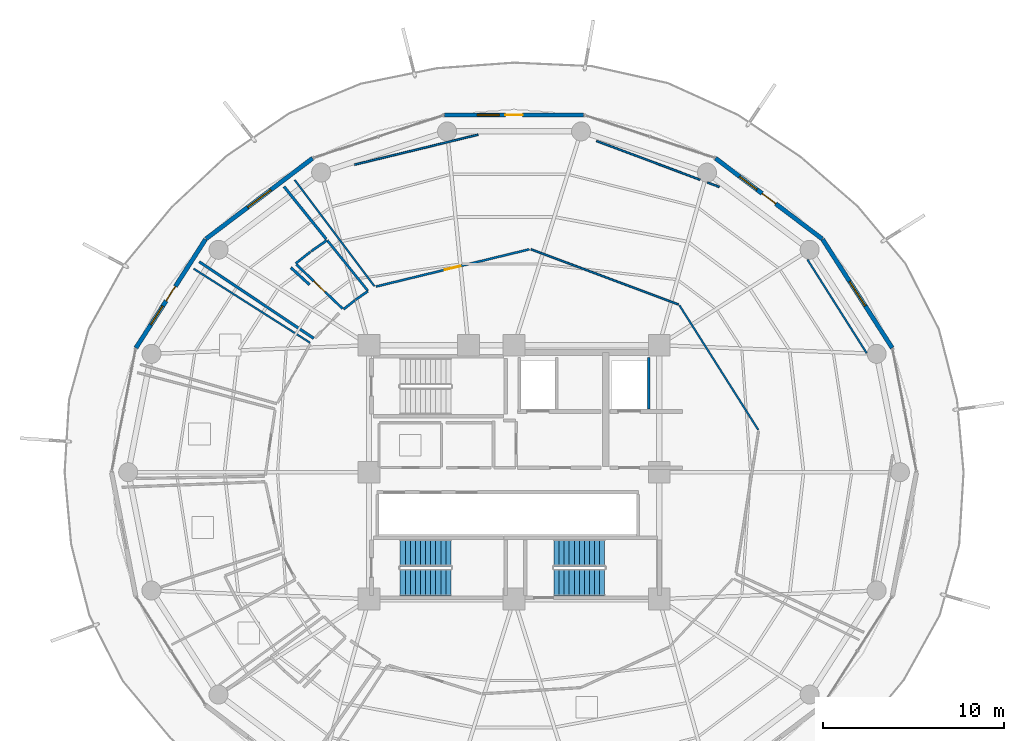
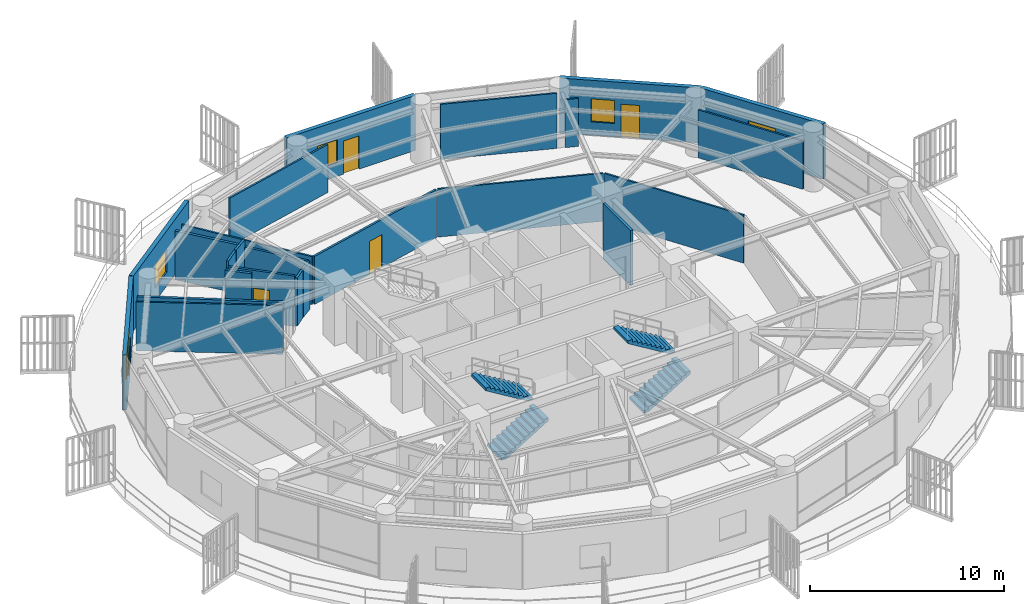
# One storey, part 25 of 30: 24 walls, 5 doors, 5 windows, 4 stair flights, 10 openings, 2 elements without a shape of their own.
"""IFC4 building model written with IfcOpenShell, lengths in metres."""

from ifc_helpers import new_model, si_unit, direction, frame, frame_2d, origin, place, context, subcontext, project, spatial, polyline, rectangle, outline, extrude, material, layer, layer_set, type_object, element, fill, aggregate, save


model = new_model("IFC4")

# Units and contexts
model_context = context("Model", 3, precision=1e-05, world=origin(), true_north=direction((0.0, 1.0)))
body_context = subcontext(model_context, "Body", "Model", "MODEL_VIEW")
ifc_project = project(units=[si_unit("LENGTHUNIT", "METRE"), si_unit("AREAUNIT", "SQUARE_METRE"), si_unit("VOLUMEUNIT", "CUBIC_METRE"), si_unit("PLANEANGLEUNIT", "RADIAN"), si_unit("MASSUNIT", "GRAM", prefix="KILO")], contexts=[model_context])

# Site, building, storey
site_placement = place(None, origin())
site = spatial("IfcSite", under=ifc_project, at=site_placement, CompositionType="ELEMENT")
building_placement = place(site_placement, origin())
building = spatial("IfcBuilding", under=site, at=building_placement, Name="Kelanora Arch Commons", CompositionType="ELEMENT")
storey_placement = place(building_placement, frame((0.0, 0.0, 211.949951171875)))
storey = spatial("IfcBuildingStorey", under=building, at=storey_placement, Name="L54", CompositionType="ELEMENT", Elevation=211.949951171875)

# Walls
ifc_material_1 = material(Name="Autoclaved aerated concrete blockwork with fire plaster", Category="masonry")
ifc_layer_1 = layer(ifc_material_1, 0.14990234375)
ifc_layer_set_1 = layer_set([ifc_layer_1], Name="Autoclaved aerated concrete blockwork with fire plaster")
wall_type_1 = type_object("IfcWallType", Name="W-COMP-150", PredefinedType="PARTITIONING", material=ifc_layer_set_1)
wall_1_placement = place(storey_placement, frame((81.419921875, 61.47998046875, 0.0), z_axis=(0.0, 0.0, 1.0), x_axis=(0.0, 1.0, 0.0)))
element("IfcWall", 1, at=wall_1_placement, inside=storey, type_object=wall_type_1, Name="Firefighting Lift 2 East Shaft Wall L54", PredefinedType="PARTITIONING", context=body_context, shape_type="SweptSolid", body=[
    extrude(rectangle(XDim=2.840087890625, YDim=0.14990234375, at=frame_2d((1.419921875, 0.0))), origin(), (0.0, 0.0, 1.0), 3.47998046875),
])
wall_2_placement = place(storey_placement, frame((62.95068359375, 65.382080078125, 0.0), z_axis=(0.0, 0.0, 1.0), x_axis=(-0.831079650143, 0.556153409697, 0.0)))
element("IfcWall", 2, at=wall_2_placement, inside=storey, type_object=wall_type_1, Name="Co-Living Studio L54-01 Enclosure Partition 2", PredefinedType="PARTITIONING", context=body_context, shape_type="SweptSolid", body=[
    extrude(rectangle(XDim=7.594482421875, YDim=0.14990234375, at=frame_2d((3.79736328125, 0.0))), origin(), (0.0, 0.0, 1.0), 3.074951171875),
])
wall_3_placement = place(storey_placement, frame((61.31201171875, 73.748779296875, 0.0), z_axis=(0.0, 0.0, 1.0), x_axis=(0.627090198143, -0.778946649901, 0.0)))
element("IfcWall", 3, at=wall_3_placement, inside=storey, type_object=wall_type_1, Name="Co-Living Studio L54-01 Enclosure Partition 5", PredefinedType="PARTITIONING", context=body_context, shape_type="SweptSolid", body=[
    extrude(rectangle(XDim=3.712158203125, YDim=0.14990234375, at=frame_2d((1.85595703125, 0.0))), origin(), (0.0, 0.0, 1.0), 3.074951171875),
])
wall_4_placement = place(storey_placement, frame((61.69140625, 69.281005859375, 0.0), z_axis=(0.0, 0.0, 1.0), x_axis=(0.736726740779, -0.676190586611, 0.0)))
element("IfcWall", 4, at=wall_4_placement, inside=storey, type_object=wall_type_1, Name="Co-Living Studio L54-01 Enclosure Partition 7", PredefinedType="PARTITIONING", context=body_context, shape_type="SweptSolid", body=[
    extrude(rectangle(XDim=1.3994140625, YDim=0.14990234375, at=frame_2d((0.69970703125, 0.0))), origin(), (0.0, 0.0, 1.0), 3.175048828125),
])

# Wall, opening, window
ifc_material_2 = material(Name="Precast concrete C40/50 upper-zone terracotta rainscreen", Category="masonry")
ifc_layer_2 = layer(ifc_material_2, 0.239990234375)
ifc_layer_set_2 = layer_set([ifc_layer_2], Name="Precast concrete C40/50 upper-zone terracotta rainscreen")
wall_type_2 = type_object("IfcWallType", Name="W-EXT-TC2", PredefinedType="SOLIDWALL", material=ifc_layer_set_2)
wall_5_placement = place(storey_placement, frame((94.85302734375, 64.85302734375, 0.0), z_axis=(0.0, 0.0, 1.0), x_axis=(-0.539539512973, 0.841960280501, 0.0)))
wall_5 = element("IfcWall", 5, at=wall_5_placement, inside=storey, type_object=wall_type_2, Name="Terracotta Exterior Wall L54-B01", PredefinedType="SOLIDWALL", context=body_context, shape_type="SweptSolid", body=[
    extrude(rectangle(XDim=7.11474609375, YDim=0.239990234375, at=frame_2d((3.557373046875, 0.0))), origin(), (0.0, 0.0, 1.0), 3.47509765625),
])
opening_1_placement = place(wall_5_placement, frame((2.757080078125, 0.0, 0.85009765625)))
opening_1 = element("IfcOpeningElement", 6, at=opening_1_placement, cuts=wall_5, Name="Opening WN-01", PredefinedType="OPENING", context=body_context, shape_type="SweptSolid", body=[
    extrude(rectangle(XDim=1.60009765625, YDim=1.449951171875, at=frame_2d((0.800048828125, 0.72509765625))), frame((0.0, 0.1298828125, 0.0), z_axis=(0.0, -1.0, 0.0), x_axis=(1.0, 0.0, 0.0)), (0.0, 0.0, 1.0), 0.260009765625),
])
ifc_material_3 = material(Name="Terracotta-anodised aluminium frame with operable low-E glazing", Category="masonry")
window_type_1 = type_object("IfcWindowType", Name="WIN-CL-18", PartitioningType="DOUBLE_PANEL_VERTICAL", PredefinedType="WINDOW", material=ifc_material_3)
window_1_placement = place(opening_1_placement, origin())
window_1 = element("IfcWindow", 7, at=window_1_placement, inside=storey, type_object=window_type_1, Name="Co-Living Operable Window L54-B01", OverallHeight=1.449951171875, OverallWidth=1.60009765625, PartitioningType="SINGLE_PANEL", PredefinedType="WINDOW", context=body_context, shape_type="SweptSolid", body=[
    extrude(rectangle(XDim=1.60009765625, YDim=1.449951171875, at=frame_2d((0.800048828125, 0.72509765625))), frame((0.0, 0.030029296875, 0.0), z_axis=(0.0, -1.0, 0.0), x_axis=(1.0, 0.0, 0.0)), (0.0, 0.0, 1.0), 0.06005859375),
])
fill(opening_1, window_1)

# Wall, openings, door, window
wall_6_placement = place(storey_placement, frame((90.994140625, 70.86474609375, 0.0), z_axis=(0.0, 0.0, 1.0), x_axis=(-0.797701674595, 0.603052268338, 0.0)))
wall_6 = element("IfcWall", 8, at=wall_6_placement, inside=storey, type_object=wall_type_2, Name="Terracotta Exterior Wall L54-B02", PredefinedType="SOLIDWALL", context=body_context, shape_type="SweptSolid", body=[
    extrude(rectangle(XDim=7.373779296875, YDim=0.239990234375, at=frame_2d((3.68701171875, 0.0))), origin(), (0.0, 0.0, 1.0), 3.47509765625),
])
opening_2_placement = place(wall_6_placement, frame((3.2119140625, 0.0, 0.0)))
opening_2 = element("IfcOpeningElement", 9, at=opening_2_placement, cuts=wall_6, Name="Opening DB-01", PredefinedType="OPENING", context=body_context, shape_type="SweptSolid", body=[
    extrude(rectangle(XDim=0.949951171875, YDim=2.10009765625, at=frame_2d((0.47509765625, 1.050048828125))), frame((0.0, 0.1298828125, 0.0), z_axis=(0.0, -1.0, 0.0), x_axis=(1.0, 0.0, 0.0)), (0.0, 0.0, 1.0), 0.260009765625),
])
opening_3_placement = place(wall_6_placement, frame((4.511962890625, 0.0, 0.85009765625)))
opening_3 = element("IfcOpeningElement", 10, at=opening_3_placement, cuts=wall_6, Name="Opening WN-02", PredefinedType="OPENING", context=body_context, shape_type="SweptSolid", body=[
    extrude(rectangle(XDim=1.199951171875, YDim=1.449951171875, at=frame_2d((0.60009765625, 0.72509765625))), frame((0.0, 0.1298828125, 0.0), z_axis=(0.0, -1.0, 0.0), x_axis=(1.0, 0.0, 0.0)), (0.0, 0.0, 1.0), 0.260009765625),
])
ifc_material_4 = material(Name="Terracotta-aluminium thermally broken glazed balcony door", Category="masonry")
door_type_1 = type_object("IfcDoorType", Name="D-BAL-10", OperationType="NOTDEFINED", PredefinedType="DOOR", material=ifc_material_4)
door_1_placement = place(opening_2_placement, frame((0.949951171875, 0.0, 0.0), z_axis=(0.0, 0.0, 1.0), x_axis=(-1.0, 0.0, 0.0)))
door_1 = element("IfcDoor", 11, at=door_1_placement, inside=storey, type_object=door_type_1, Name="Wave Balcony Door L54-B02", OperationType="SINGLE_SWING_LEFT", OverallHeight=2.10009765625, OverallWidth=0.949951171875, PredefinedType="DOOR", context=body_context, shape_type="SweptSolid", body=[
    extrude(rectangle(XDim=0.949951171875, YDim=2.10009765625, at=frame_2d((0.47509765625, 1.050048828125))), frame((0.0, 0.02490234375, 0.0), z_axis=(0.0, -1.0, 0.0), x_axis=(1.0, 0.0, 0.0)), (0.0, 0.0, 1.0), 0.050048828125),
])
fill(opening_2, door_1)
ifc_material_5 = material(Name="Terracotta-anodised aluminium frame with operable awning sash", Category="masonry")
window_type_2 = type_object("IfcWindowType", Name="WIN-CL-12", PartitioningType="SINGLE_PANEL", PredefinedType="WINDOW", material=ifc_material_5)
window_2_placement = place(opening_3_placement, origin())
window_2 = element("IfcWindow", 12, at=window_2_placement, inside=storey, type_object=window_type_2, Name="Co-Living Operable Window L54-B02", OverallHeight=1.449951171875, OverallWidth=1.199951171875, PartitioningType="SINGLE_PANEL", PredefinedType="WINDOW", context=body_context, shape_type="SweptSolid", body=[
    extrude(rectangle(XDim=1.199951171875, YDim=1.449951171875, at=frame_2d((0.60009765625, 0.72509765625))), frame((0.0, 0.030029296875, 0.0), z_axis=(0.0, -1.0, 0.0), x_axis=(1.0, 0.0, 0.0)), (0.0, 0.0, 1.0), 0.06005859375),
])
fill(opening_3, window_2)

wall_7_placement = place(storey_placement, frame((77.840087890625, 77.6962890625, 0.0), z_axis=(0.0, 0.0, 1.0), x_axis=(-1.0, 0.0, 0.0)))
wall_7 = element("IfcWall", 13, at=wall_7_placement, inside=storey, type_object=wall_type_2, Name="Terracotta Exterior Wall L54-B04", PredefinedType="SOLIDWALL", context=body_context, shape_type="SweptSolid", body=[
    extrude(rectangle(XDim=7.68017578125, YDim=0.239990234375, at=frame_2d((3.840087890625, 0.0))), origin(), (0.0, 0.0, 1.0), 3.47509765625),
])
opening_4_placement = place(wall_7_placement, frame((3.364990234375, 0.0, 0.0)))
opening_4 = element("IfcOpeningElement", 14, at=opening_4_placement, cuts=wall_7, Name="Opening DB-01", PredefinedType="OPENING", context=body_context, shape_type="SweptSolid", body=[
    extrude(rectangle(XDim=0.949951171875, YDim=2.10009765625, at=frame_2d((0.47509765625, 1.050048828125))), frame((0.0, 0.1298828125, 0.0), z_axis=(0.0, -1.0, 0.0), x_axis=(1.0, 0.0, 0.0)), (0.0, 0.0, 1.0), 0.260009765625),
])
opening_5_placement = place(wall_7_placement, frame((4.6650390625, 0.0, 0.85009765625)))
opening_5 = element("IfcOpeningElement", 15, at=opening_5_placement, cuts=wall_7, Name="Opening WN-02", PredefinedType="OPENING", context=body_context, shape_type="SweptSolid", body=[
    extrude(rectangle(XDim=1.199951171875, YDim=1.449951171875, at=frame_2d((0.60009765625, 0.72509765625))), frame((0.0, 0.1298828125, 0.0), z_axis=(0.0, -1.0, 0.0), x_axis=(1.0, 0.0, 0.0)), (0.0, 0.0, 1.0), 0.260009765625),
])
door_2_placement = place(opening_4_placement, frame((0.949951171875, 0.0, 0.0), z_axis=(0.0, 0.0, 1.0), x_axis=(-1.0, 0.0, 0.0)))
door_2 = element("IfcDoor", 16, at=door_2_placement, inside=storey, type_object=door_type_1, Name="Wave Balcony Door L54-B04", OperationType="SINGLE_SWING_LEFT", OverallHeight=2.10009765625, OverallWidth=0.949951171875, PredefinedType="DOOR", context=body_context, shape_type="SweptSolid", body=[
    extrude(rectangle(XDim=0.949951171875, YDim=2.10009765625, at=frame_2d((0.47509765625, 1.050048828125))), frame((0.0, 0.02490234375, 0.0), z_axis=(0.0, -1.0, 0.0), x_axis=(1.0, 0.0, 0.0)), (0.0, 0.0, 1.0), 0.050048828125),
])
fill(opening_4, door_2)
window_3_placement = place(opening_5_placement, origin())
window_3 = element("IfcWindow", 17, at=window_3_placement, inside=storey, type_object=window_type_2, Name="Co-Living Operable Window L54-B04", OverallHeight=1.449951171875, OverallWidth=1.199951171875, PartitioningType="SINGLE_PANEL", PredefinedType="WINDOW", context=body_context, shape_type="SweptSolid", body=[
    extrude(rectangle(XDim=1.199951171875, YDim=1.449951171875, at=frame_2d((0.60009765625, 0.72509765625))), frame((0.0, 0.030029296875, 0.0), z_axis=(0.0, -1.0, 0.0), x_axis=(1.0, 0.0, 0.0)), (0.0, 0.0, 1.0), 0.06005859375),
])
fill(opening_5, window_3)

# Wall, opening, window
wall_8_placement = place(storey_placement, frame((62.887939453125, 75.3115234375, 0.0), z_axis=(0.0, 0.0, 1.0), x_axis=(-0.797701674595, -0.603052268338, 0.0)))
wall_8 = element("IfcWall", 18, at=wall_8_placement, inside=storey, type_object=wall_type_2, Name="Terracotta Exterior Wall L54-B06", PredefinedType="SOLIDWALL", context=body_context, shape_type="SweptSolid", body=[
    extrude(rectangle(XDim=7.373779296875, YDim=0.239990234375, at=frame_2d((3.68701171875, 0.0))), origin(), (0.0, 0.0, 1.0), 3.47509765625),
])
opening_6_placement = place(wall_8_placement, frame((2.886962890625, 0.0, 0.85009765625)))
opening_6 = element("IfcOpeningElement", 19, at=opening_6_placement, cuts=wall_8, Name="Opening WN-01", PredefinedType="OPENING", context=body_context, shape_type="SweptSolid", body=[
    extrude(rectangle(XDim=1.60009765625, YDim=1.449951171875, at=frame_2d((0.800048828125, 0.72509765625))), frame((0.0, 0.1298828125, 0.0), z_axis=(0.0, -1.0, 0.0), x_axis=(1.0, 0.0, 0.0)), (0.0, 0.0, 1.0), 0.260009765625),
])
window_4_placement = place(opening_6_placement, origin())
window_4 = element("IfcWindow", 20, at=window_4_placement, inside=storey, type_object=window_type_1, Name="Co-Living Operable Window L54-B06", OverallHeight=1.449951171875, OverallWidth=1.60009765625, PartitioningType="SINGLE_PANEL", PredefinedType="WINDOW", context=body_context, shape_type="SweptSolid", body=[
    extrude(rectangle(XDim=1.60009765625, YDim=1.449951171875, at=frame_2d((0.800048828125, 0.72509765625))), frame((0.0, 0.030029296875, 0.0), z_axis=(0.0, -1.0, 0.0), x_axis=(1.0, 0.0, 0.0)), (0.0, 0.0, 1.0), 0.06005859375),
])
fill(opening_6, window_4)

# Wall, openings, door, window
wall_9_placement = place(storey_placement, frame((56.985595703125, 70.84326171875, 0.0), z_axis=(0.0, 0.0, 1.0), x_axis=(-0.539539512973, -0.841960280501, 0.0)))
wall_9 = element("IfcWall", 21, at=wall_9_placement, inside=storey, type_object=wall_type_2, Name="Terracotta Exterior Wall L54-B07", PredefinedType="SOLIDWALL", context=body_context, shape_type="SweptSolid", body=[
    extrude(rectangle(XDim=7.11474609375, YDim=0.239990234375, at=frame_2d((3.557373046875, 0.0))), origin(), (0.0, 0.0, 1.0), 3.47509765625),
])
opening_7_placement = place(wall_9_placement, frame((3.08203125, 0.0, 0.0)))
opening_7 = element("IfcOpeningElement", 22, at=opening_7_placement, cuts=wall_9, Name="Opening DB-01", PredefinedType="OPENING", context=body_context, shape_type="SweptSolid", body=[
    extrude(rectangle(XDim=0.949951171875, YDim=2.10009765625, at=frame_2d((0.47509765625, 1.050048828125))), frame((0.0, 0.1298828125, 0.0), z_axis=(0.0, -1.0, 0.0), x_axis=(1.0, 0.0, 0.0)), (0.0, 0.0, 1.0), 0.260009765625),
])
opening_8_placement = place(wall_9_placement, frame((4.382080078125, 0.0, 0.85009765625)))
opening_8 = element("IfcOpeningElement", 23, at=opening_8_placement, cuts=wall_9, Name="Opening WN-02", PredefinedType="OPENING", context=body_context, shape_type="SweptSolid", body=[
    extrude(rectangle(XDim=1.199951171875, YDim=1.449951171875, at=frame_2d((0.60009765625, 0.72509765625))), frame((0.0, 0.1298828125, 0.0), z_axis=(0.0, -1.0, 0.0), x_axis=(1.0, 0.0, 0.0)), (0.0, 0.0, 1.0), 0.260009765625),
])
door_3_placement = place(opening_7_placement, frame((0.949951171875, 0.0, 0.0), z_axis=(0.0, 0.0, 1.0), x_axis=(-1.0, 0.0, 0.0)))
door_3 = element("IfcDoor", 24, at=door_3_placement, inside=storey, type_object=door_type_1, Name="Wave Balcony Door L54-B07", OperationType="SINGLE_SWING_RIGHT", OverallHeight=2.10009765625, OverallWidth=0.949951171875, PredefinedType="DOOR", context=body_context, shape_type="SweptSolid", body=[
    extrude(rectangle(XDim=0.949951171875, YDim=2.10009765625, at=frame_2d((0.47509765625, 1.050048828125))), frame((0.0, 0.02490234375, 0.0), z_axis=(0.0, -1.0, 0.0), x_axis=(1.0, 0.0, 0.0)), (0.0, 0.0, 1.0), 0.050048828125),
])
fill(opening_7, door_3)
window_5_placement = place(opening_8_placement, origin())
window_5 = element("IfcWindow", 25, at=window_5_placement, inside=storey, type_object=window_type_2, Name="Co-Living Operable Window L54-B07", OverallHeight=1.449951171875, OverallWidth=1.199951171875, PartitioningType="SINGLE_PANEL", PredefinedType="WINDOW", context=body_context, shape_type="SweptSolid", body=[
    extrude(rectangle(XDim=1.199951171875, YDim=1.449951171875, at=frame_2d((0.60009765625, 0.72509765625))), frame((0.0, 0.030029296875, 0.0), z_axis=(0.0, -1.0, 0.0), x_axis=(1.0, 0.0, 0.0)), (0.0, 0.0, 1.0), 0.06005859375),
])
fill(opening_8, window_5)

# Walls
ifc_material_6 = material(Name="Lightweight fire-rated acoustic stud partition")
ifc_layer_3 = layer(ifc_material_6, 0.10009765625)
ifc_layer_set_3 = layer_set([ifc_layer_3], Name="Lightweight fire-rated acoustic stud partition")
wall_type_3 = type_object("IfcWallType", Name="W-PART-100", PredefinedType="PARTITIONING", material=ifc_layer_set_3)
wall_10_placement = place(storey_placement, frame((87.467529296875, 60.333740234375, 0.0), z_axis=(0.0, 0.0, 1.0), x_axis=(-0.534944175276, 0.844887406308, 0.0)))
element("IfcWall", 26, at=wall_10_placement, inside=storey, type_object=wall_type_3, Name="North-East Shared Cluster Kitchen L54 Enclosure Partition 2", PredefinedType="PARTITIONING", context=body_context, shape_type="SweptSolid", body=[
    extrude(rectangle(XDim=8.128173828125, YDim=0.10009765625, at=frame_2d((4.06396484375, 0.0))), origin(), (0.0, 0.0, 1.0), 3.025146484375),
])
wall_11_placement = place(storey_placement, frame((83.060546875, 67.2490234375, 0.0), z_axis=(0.0, 0.0, 1.0), x_axis=(-0.936551038794, 0.350531242164, 0.0)))
element("IfcWall", 27, at=wall_11_placement, inside=storey, type_object=wall_type_3, Name="North-East Shared Cluster Kitchen L54 Enclosure Partition 3", PredefinedType="PARTITIONING", context=body_context, shape_type="SweptSolid", body=[
    extrude(rectangle(XDim=8.675537109375, YDim=0.10009765625, at=frame_2d((4.337890625, 0.0))), origin(), (0.0, 0.0, 1.0), 3.025146484375),
])
wall_12_placement = place(storey_placement, frame((66.298095703125, 68.25390625, 0.0), z_axis=(0.0, 0.0, 1.0), x_axis=(-0.599930714763, 0.80005195924, 0.0)))
element("IfcWall", 28, at=wall_12_placement, inside=storey, type_object=wall_type_3, Name="North-East Shared Cluster Kitchen L54 Enclosure Partition 5", PredefinedType="PARTITIONING", context=body_context, shape_type="SweptSolid", body=[
    extrude(rectangle(XDim=7.32958984375, YDim=0.10009765625, at=frame_2d((3.664794921875, 0.0))), origin(), (0.0, 0.0, 1.0), 3.025146484375),
])
wall_13_placement = place(storey_placement, frame((65.209228515625, 74.958984375, 0.0), z_axis=(0.0, 0.0, 1.0), x_axis=(0.971754503242, 0.235994036851, 0.0)))
element("IfcWall", 29, at=wall_13_placement, inside=storey, type_object=wall_type_3, Name="North-East Shared Cluster Kitchen L54 Enclosure Partition 6", PredefinedType="PARTITIONING", context=body_context, shape_type="SweptSolid", body=[
    extrude(rectangle(XDim=7.004638671875, YDim=0.10009765625, at=frame_2d((3.50244140625, 0.0))), origin(), (0.0, 0.0, 1.0), 3.025146484375),
])
wall_14_placement = place(storey_placement, frame((78.553955078125, 76.263916015625, 0.0), z_axis=(0.0, 0.0, 1.0), x_axis=(0.936506961486, -0.35064898558, 0.0)))
element("IfcWall", 30, at=wall_14_placement, inside=storey, type_object=wall_type_3, Name="North-East Shared Cluster Kitchen L54 Enclosure Partition 7", PredefinedType="PARTITIONING", context=body_context, shape_type="SweptSolid", body=[
    extrude(rectangle(XDim=6.0908203125, YDim=0.10009765625, at=frame_2d((3.04541015625, 0.0))), origin(), (0.0, 0.0, 1.0), 3.47998046875),
])
wall_15_placement = place(storey_placement, frame((84.668212890625, 73.974609375, 0.0), z_axis=(0.0, 0.0, 1.0), x_axis=(0.93647410615, -0.350736722499, 0.0)))
element("IfcWall", 31, at=wall_15_placement, inside=storey, type_object=wall_type_3, Name="North-East Shared Cluster Kitchen L54 Enclosure Partition 7", PredefinedType="PARTITIONING", context=body_context, shape_type="SweptSolid", body=[
    extrude(rectangle(XDim=0.69189453125, YDim=0.10009765625, at=frame_2d((0.345947265625, 0.0))), origin(), (0.0, 0.0, 1.0), 3.025146484375),
])
wall_16_placement = place(storey_placement, frame((90.1767578125, 69.728759765625, 0.0), z_axis=(0.0, 0.0, 1.0), x_axis=(0.534740598511, -0.845016267479, 0.0)))
element("IfcWall", 32, at=wall_16_placement, inside=storey, type_object=wall_type_3, Name="North-East Shared Cluster Kitchen L54 Enclosure Partition 8", PredefinedType="PARTITIONING", context=body_context, shape_type="SweptSolid", body=[
    extrude(rectangle(XDim=6.116943359375, YDim=0.10009765625, at=frame_2d((3.05859375, 0.0))), origin(), (0.0, 0.0, 1.0), 3.025146484375),
])
wall_17_placement = place(storey_placement, frame((56.328857421875, 69.221435546875, 0.0), z_axis=(0.0, 0.0, 1.0), x_axis=(0.843949218332, -0.536423076383, 0.0)))
element("IfcWall", 33, at=wall_17_placement, inside=storey, type_object=wall_type_3, Name="Shared Cluster Kitchen L54-02 Enclosure Partition 4", PredefinedType="PARTITIONING", context=body_context, shape_type="SweptSolid", body=[
    extrude(rectangle(XDim=7.61328125, YDim=0.10009765625, at=frame_2d((3.806640625, 0.0))), origin(), (0.0, 0.0, 1.0), 3.074951171875),
])

# Wall, opening, door
ifc_material_7 = material(Name="Acoustic twin-stud fire-rated gypsum partition")
ifc_layer_4 = layer(ifc_material_7, 0.1201171875)
ifc_layer_set_4 = layer_set([ifc_layer_4], Name="Acoustic twin-stud fire-rated gypsum partition")
wall_type_4 = type_object("IfcWallType", Name="W-PART-120", PredefinedType="PARTITIONING", material=ifc_layer_set_4)
wall_18_placement = place(storey_placement, frame((74.839599609375, 70.289794921875, 0.0), z_axis=(0.0, 0.0, 1.0), x_axis=(-0.971771434763, -0.235924306884, 0.0)))
wall_18 = element("IfcWall", 34, at=wall_18_placement, inside=storey, type_object=wall_type_4, Name="North-East Shared Cluster Kitchen L54 Entry Partition", PredefinedType="PARTITIONING", context=body_context, shape_type="SweptSolid", body=[
    extrude(rectangle(XDim=8.705078125, YDim=0.1201171875, at=frame_2d((4.3525390625, 0.0))), origin(), (0.0, 0.0, 1.0), 3.025146484375),
])
opening_9_placement = place(wall_18_placement, frame((3.903076171875, 0.0, 0.0)))
opening_9 = element("IfcOpeningElement", 35, at=opening_9_placement, cuts=wall_18, Name="Opening D-RM1", PredefinedType="OPENING", context=body_context, shape_type="SweptSolid", body=[
    extrude(rectangle(XDim=0.89990234375, YDim=2.080078125, at=frame_2d((0.449951171875, 1.0400390625))), frame((0.0, 0.070068359375, 0.0), z_axis=(0.0, -1.0, 0.0), x_axis=(1.0, 0.0, 0.0)), (0.0, 0.0, 1.0), 0.14013671875),
])
ifc_material_8 = material(Name="Acoustic fire-rated timber study and lounge door", Category="wood")
door_type_2 = type_object("IfcDoorType", Name="D-ROOM-90", OperationType="NOTDEFINED", PredefinedType="DOOR", material=ifc_material_8)
door_4_placement = place(opening_9_placement, origin())
door_4 = element("IfcDoor", 36, at=door_4_placement, inside=storey, type_object=door_type_2, Name="North-East Shared Cluster Kitchen L54 Door", OperationType="SINGLE_SWING_RIGHT", OverallHeight=2.080078125, OverallWidth=0.89990234375, PredefinedType="DOOR", context=body_context, shape_type="SweptSolid", body=[
    extrude(rectangle(XDim=0.89990234375, YDim=2.080078125, at=frame_2d((0.449951171875, 1.0400390625))), frame((0.0, 0.02490234375, 0.0), z_axis=(0.0, -1.0, 0.0), x_axis=(1.0, 0.0, 0.0)), (0.0, 0.0, 1.0), 0.050048828125),
])
fill(opening_9, door_4)

ifc_material_9 = material(Name="Moisture-resistant fire-rated cement-board plumbing wall")
ifc_layer_5 = layer(ifc_material_9, 0.1298828125)
ifc_layer_set_5 = layer_set([ifc_layer_5], Name="Moisture-resistant fire-rated cement-board plumbing wall")
wall_type_5 = type_object("IfcWallType", Name="W-WET-120", PredefinedType="PLUMBINGWALL", material=ifc_layer_set_5)
wall_19_placement = place(storey_placement, frame((64.544677734375, 67.018310546875, 0.0), z_axis=(0.0, 0.0, 1.0), x_axis=(-0.723495138875, 0.690329474979, 0.0)))
wall_19 = element("IfcWall", 37, at=wall_19_placement, inside=storey, type_object=wall_type_5, Name="En-Suite Shower WC L54-01 Entry Partition", PredefinedType="PLUMBINGWALL", context=body_context, shape_type="SweptSolid", body=[
    extrude(rectangle(XDim=3.533447265625, YDim=0.1298828125, at=frame_2d((1.7666015625, 0.0))), origin(), (0.0, 0.0, 1.0), 3.175048828125),
])
opening_10_placement = place(wall_19_placement, frame((1.3369140625, 0.0, 0.0)))
opening_10 = element("IfcOpeningElement", 38, at=opening_10_placement, cuts=wall_19, Name="Opening D-BT1", PredefinedType="OPENING", context=body_context, shape_type="SweptSolid", body=[
    extrude(rectangle(XDim=0.860107421875, YDim=2.050048828125, at=frame_2d((0.43017578125, 1.02490234375))), frame((0.0, 0.074951171875, 0.0), z_axis=(0.0, -1.0, 0.0), x_axis=(1.0, 0.0, 0.0)), (0.0, 0.0, 1.0), 0.14990234375),
])
ifc_material_10 = material(Name="Moisture-sealed fire-rated accessible bathroom door")
door_type_3 = type_object("IfcDoorType", Name="D-BATH-85", OperationType="NOTDEFINED", PredefinedType="DOOR", material=ifc_material_10)
door_5_placement = place(opening_10_placement, origin())
door_5 = element("IfcDoor", 39, at=door_5_placement, inside=storey, type_object=door_type_3, Name="En-Suite Shower WC L54-01 Door", OperationType="SINGLE_SWING_LEFT", OverallHeight=2.050048828125, OverallWidth=0.860107421875, PredefinedType="DOOR", context=body_context, shape_type="SweptSolid", body=[
    extrude(rectangle(XDim=0.860107421875, YDim=2.050048828125, at=frame_2d((0.43017578125, 1.02490234375))), frame((0.0, 0.02490234375, 0.0), z_axis=(0.0, -1.0, 0.0), x_axis=(1.0, 0.0, 0.0)), (0.0, 0.0, 1.0), 0.050048828125),
])
fill(opening_10, door_5)

# Walls
wall_20_placement = place(storey_placement, frame((65.9326171875, 67.9765625, 0.0), z_axis=(0.0, 0.0, 1.0), x_axis=(-0.821107527055, -0.570773535663, 0.0)))
element("IfcWall", 40, at=wall_20_placement, inside=storey, type_object=wall_type_5, Name="En-Suite Shower WC L54-01 Enclosure Partition 1", PredefinedType="PLUMBINGWALL", context=body_context, shape_type="SweptSolid", body=[
    extrude(rectangle(XDim=0.8115234375, YDim=0.1298828125, at=frame_2d((0.40576171875, 0.0))), origin(), (0.0, 0.0, 1.0), 3.025146484375),
])
wall_21_placement = place(storey_placement, frame((65.234375, 67.489501953125, 0.0), z_axis=(0.0, 0.0, 1.0), x_axis=(-0.783584251465, -0.621285538908, 0.0)))
element("IfcWall", 41, at=wall_21_placement, inside=storey, type_object=wall_type_5, Name="En-Suite Shower WC L54-01 Enclosure Partition 2", PredefinedType="PLUMBINGWALL", context=body_context, shape_type="SweptSolid", body=[
    extrude(rectangle(XDim=0.8046875, YDim=0.1298828125, at=frame_2d((0.40234375, 0.0))), origin(), (0.0, 0.0, 1.0), 3.025146484375),
])
wall_22_placement = place(storey_placement, frame((61.960693359375, 69.511474609375, 0.0), z_axis=(0.0, 0.0, 1.0), x_axis=(0.784079055359, 0.620660966186, 0.0)))
element("IfcWall", 42, at=wall_22_placement, inside=storey, type_object=wall_type_5, Name="En-Suite Shower WC L54-01 Enclosure Partition 4", PredefinedType="PLUMBINGWALL", context=body_context, shape_type="SweptSolid", body=[
    extrude(rectangle(XDim=1.042724609375, YDim=0.1298828125, at=frame_2d((0.521484375, 0.0))), origin(), (0.0, 0.0, 1.0), 3.47998046875),
])
wall_23_placement = place(storey_placement, frame((62.810302734375, 70.182373046875, 0.0), z_axis=(0.0, 0.0, 1.0), x_axis=(0.820692025527, 0.571370807127, 0.0)))
element("IfcWall", 43, at=wall_23_placement, inside=storey, type_object=wall_type_5, Name="En-Suite Shower WC L54-01 Enclosure Partition 5", PredefinedType="PLUMBINGWALL", context=body_context, shape_type="SweptSolid", body=[
    extrude(rectangle(XDim=1.05078125, YDim=0.1298828125, at=frame_2d((0.525390625, 0.0))), origin(), (0.0, 0.0, 1.0), 3.47998046875),
])
wall_24_placement = place(storey_placement, frame((63.701416015625, 70.7783203125, 0.0), z_axis=(0.0, 0.0, 1.0), x_axis=(0.627323766187, -0.778758558461, 0.0)))
element("IfcWall", 44, at=wall_24_placement, inside=storey, type_object=wall_type_5, Name="En-Suite Shower WC L54-01 Enclosure Partition 6", PredefinedType="PLUMBINGWALL", context=body_context, shape_type="SweptSolid", body=[
    extrude(rectangle(XDim=3.56298828125, YDim=0.1298828125, at=frame_2d((1.781494140625, 0.0))), origin(), (0.0, 0.0, 1.0), 3.025146484375),
])

# Stair, stair flights
ifc_material_11 = material(Name="Concrete C40/50", Category="concrete")
stair_type = type_object("IfcStairType", Name="STR-DL-375", PredefinedType="HALF_TURN_STAIR", material=ifc_material_11)
stair_1_placement = place(storey_placement, origin())
stair_1 = element("IfcStair", 45, at=stair_1_placement, inside=storey, type_object=stair_type, Name="L54 ST-T2", PredefinedType="HALF_TURN_STAIR")
stair_flight_type = type_object("IfcStairFlightType", Name="FLT-DL-375", PredefinedType="STRAIGHT", material=ifc_material_11)
stair_flight_1_placement = place(storey_placement, frame((76.199951171875, 51.919921875, 0.0), z_axis=(0.0, 0.0, 1.0), x_axis=(1.0, 0.0, 0.0)))
stair_flight_1 = element("IfcStairFlight", 46, at=stair_flight_1_placement, type_object=stair_flight_type, Name="ST-T2 flight 1", NumberOfRisers=11, NumberOfTreads=10, PredefinedType="STRAIGHT", RiserHeight=0.170454545, TreadLength=0.28, context=body_context, shape_type="SweptSolid", body=[
    extrude(outline(polyline([(0.0, 0.0), (0.0, 0.17041015625), (0.280029296875, 0.17041015625), (0.280029296875, 0.3408203125), (0.56005859375, 0.3408203125), (0.56005859375, 0.511474609375), (0.840087890625, 0.511474609375), (0.840087890625, 0.681884765625), (1.1201171875, 0.681884765625), (1.1201171875, 0.852294921875), (1.39990234375, 0.852294921875), (1.39990234375, 1.022705078125), (1.679931640625, 1.022705078125), (1.679931640625, 1.193115234375), (1.9599609375, 1.193115234375), (1.9599609375, 1.363525390625), (2.239990234375, 1.363525390625), (2.239990234375, 1.5341796875), (2.52001953125, 1.5341796875), (2.52001953125, 1.70458984375), (2.800048828125, 1.70458984375), (2.800048828125, 1.875), (2.800048828125, 1.529052734375), (0.288330078125, 0.0), (0.0, 0.0)])), frame((0.0, 0.739990234375, 0.0), z_axis=(0.0, -1.0, 0.0), x_axis=(1.0, 0.0, 0.0)), (0.0, 0.0, 1.0), 1.47998046875),
])
stair_flight_2_placement = place(storey_placement, frame((79.0, 53.550048828125, 1.875), z_axis=(0.0, 0.0, 1.0), x_axis=(-1.0, 0.0, 0.0)))
stair_flight_2 = element("IfcStairFlight", 47, at=stair_flight_2_placement, type_object=stair_flight_type, Name="ST-T2 flight 2", NumberOfRisers=11, NumberOfTreads=10, PredefinedType="STRAIGHT", RiserHeight=0.170454545, TreadLength=0.28, context=body_context, shape_type="SweptSolid", body=[
    extrude(outline(polyline([(0.0, 0.0), (0.0, 0.17041015625), (0.280029296875, 0.17041015625), (0.280029296875, 0.3408203125), (0.56005859375, 0.3408203125), (0.56005859375, 0.511474609375), (0.840087890625, 0.511474609375), (0.840087890625, 0.681884765625), (1.1201171875, 0.681884765625), (1.1201171875, 0.852294921875), (1.39990234375, 0.852294921875), (1.39990234375, 1.022705078125), (1.679931640625, 1.022705078125), (1.679931640625, 1.193115234375), (1.9599609375, 1.193115234375), (1.9599609375, 1.363525390625), (2.239990234375, 1.363525390625), (2.239990234375, 1.5341796875), (2.52001953125, 1.5341796875), (2.52001953125, 1.70458984375), (2.800048828125, 1.70458984375), (2.800048828125, 1.875), (2.800048828125, 1.529052734375), (0.288330078125, 0.0), (0.0, 0.0)])), frame((0.0, 0.739990234375, 0.0), z_axis=(0.0, -1.0, 0.0), x_axis=(1.0, 0.0, 0.0)), (0.0, 0.0, 1.0), 1.47998046875),
])
aggregate(stair_1, [stair_flight_1, stair_flight_2])

stair_2_placement = place(storey_placement, origin())
stair_2 = element("IfcStair", 48, at=stair_2_placement, inside=storey, type_object=stair_type, Name="L54 ST-T3", PredefinedType="HALF_TURN_STAIR")
stair_flight_3_placement = place(storey_placement, frame((67.719970703125, 51.919921875, 0.0), z_axis=(0.0, 0.0, 1.0), x_axis=(1.0, 0.0, 0.0)))
stair_flight_3 = element("IfcStairFlight", 49, at=stair_flight_3_placement, type_object=stair_flight_type, Name="ST-T3 flight 1", NumberOfRisers=11, NumberOfTreads=10, PredefinedType="STRAIGHT", RiserHeight=0.170454545, TreadLength=0.28, context=body_context, shape_type="SweptSolid", body=[
    extrude(outline(polyline([(0.0, 0.0), (0.0, 0.17041015625), (0.280029296875, 0.17041015625), (0.280029296875, 0.3408203125), (0.56005859375, 0.3408203125), (0.56005859375, 0.511474609375), (0.840087890625, 0.511474609375), (0.840087890625, 0.681884765625), (1.1201171875, 0.681884765625), (1.1201171875, 0.852294921875), (1.39990234375, 0.852294921875), (1.39990234375, 1.022705078125), (1.679931640625, 1.022705078125), (1.679931640625, 1.193115234375), (1.9599609375, 1.193115234375), (1.9599609375, 1.363525390625), (2.239990234375, 1.363525390625), (2.239990234375, 1.5341796875), (2.52001953125, 1.5341796875), (2.52001953125, 1.70458984375), (2.800048828125, 1.70458984375), (2.800048828125, 1.875), (2.800048828125, 1.529052734375), (0.288330078125, 0.0), (0.0, 0.0)])), frame((0.0, 0.739990234375, 0.0), z_axis=(0.0, -1.0, 0.0), x_axis=(1.0, 0.0, 0.0)), (0.0, 0.0, 1.0), 1.47998046875),
])
stair_flight_4_placement = place(storey_placement, frame((70.52001953125, 53.550048828125, 1.875), z_axis=(0.0, 0.0, 1.0), x_axis=(-1.0, 0.0, 0.0)))
stair_flight_4 = element("IfcStairFlight", 50, at=stair_flight_4_placement, type_object=stair_flight_type, Name="ST-T3 flight 2", NumberOfRisers=11, NumberOfTreads=10, PredefinedType="STRAIGHT", RiserHeight=0.170454545, TreadLength=0.28, context=body_context, shape_type="SweptSolid", body=[
    extrude(outline(polyline([(0.0, 0.0), (0.0, 0.17041015625), (0.280029296875, 0.17041015625), (0.280029296875, 0.3408203125), (0.56005859375, 0.3408203125), (0.56005859375, 0.511474609375), (0.840087890625, 0.511474609375), (0.840087890625, 0.681884765625), (1.1201171875, 0.681884765625), (1.1201171875, 0.852294921875), (1.39990234375, 0.852294921875), (1.39990234375, 1.022705078125), (1.679931640625, 1.022705078125), (1.679931640625, 1.193115234375), (1.9599609375, 1.193115234375), (1.9599609375, 1.363525390625), (2.239990234375, 1.363525390625), (2.239990234375, 1.5341796875), (2.52001953125, 1.5341796875), (2.52001953125, 1.70458984375), (2.800048828125, 1.70458984375), (2.800048828125, 1.875), (2.800048828125, 1.529052734375), (0.288330078125, 0.0), (0.0, 0.0)])), frame((0.0, 0.739990234375, 0.0), z_axis=(0.0, -1.0, 0.0), x_axis=(1.0, 0.0, 0.0)), (0.0, 0.0, 1.0), 1.47998046875),
])
aggregate(stair_2, [stair_flight_3, stair_flight_4])

save(model, "model.ifc")
